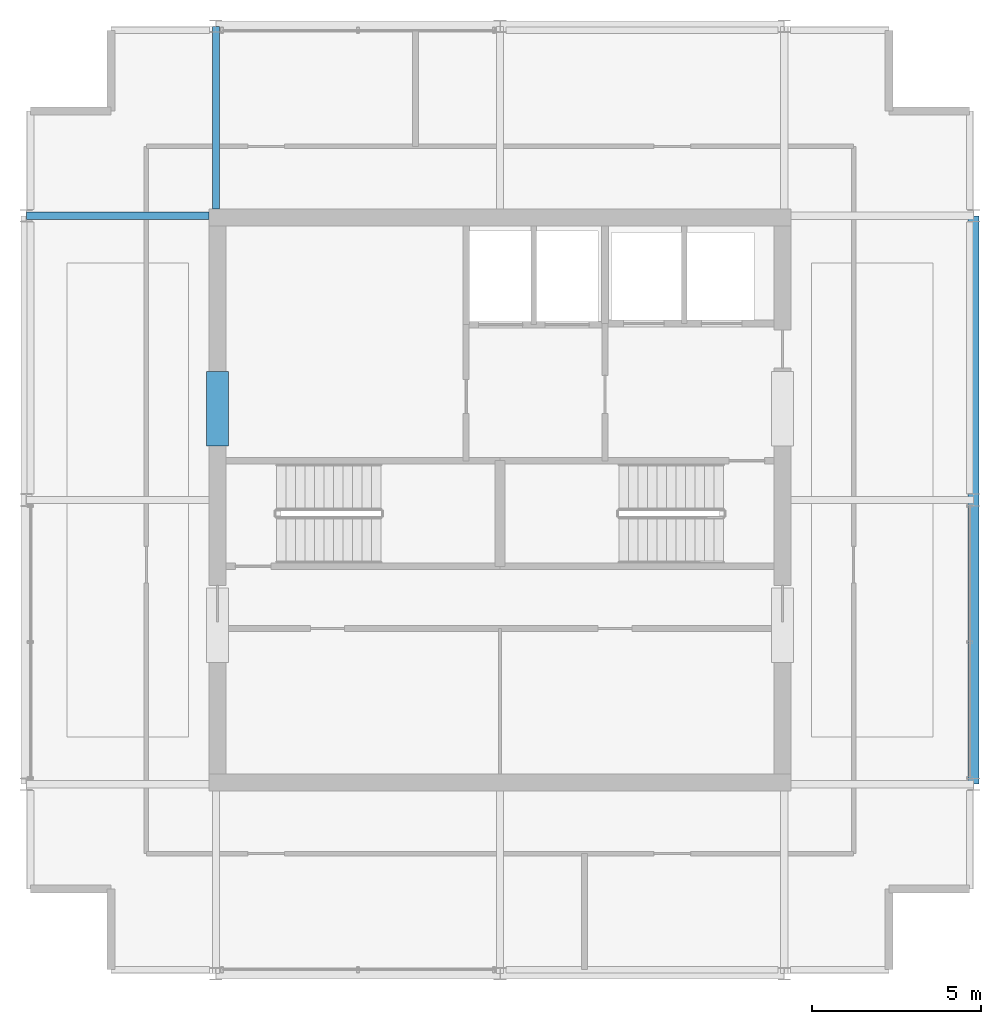
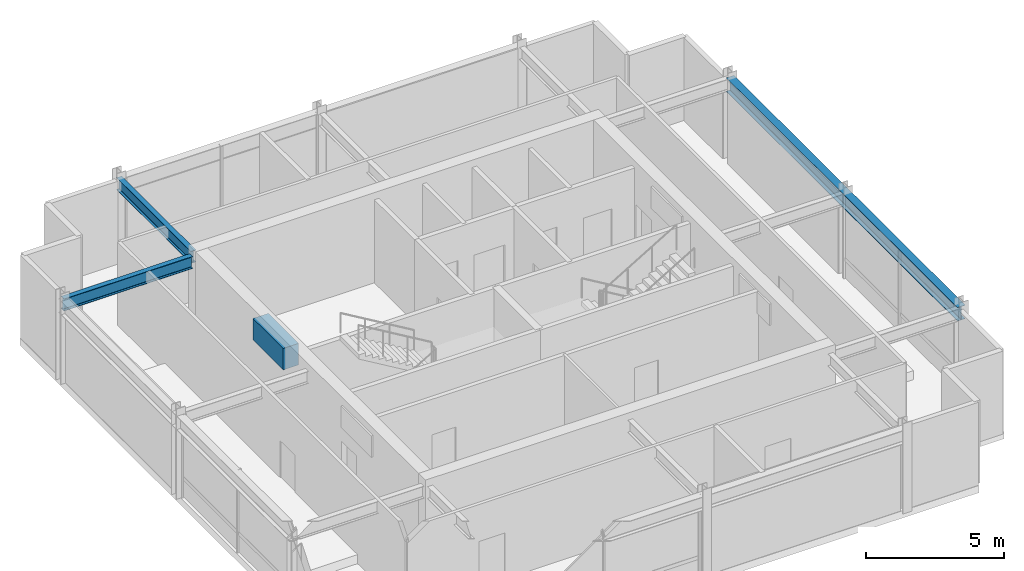
# One storey, part 7 of 12: 4 beams.
"""IFC4 building model written with IfcOpenShell, lengths in metres."""

from ifc_helpers import new_model, si_unit, direction, frame, origin, origin_2d, place, context, subcontext, project, spatial, rectangle, i_section, extrude, material, material_profile, profile_set, type_object, element, save


model = new_model("IFC4")

# Units and contexts
model_context = context("Model", 3, precision=1e-05, world=origin(), true_north=direction((0.0, 1.0)))
body_context = subcontext(model_context, "Body", "Model", "MODEL_VIEW")
ifc_project = project(units=[si_unit("LENGTHUNIT", "METRE"), si_unit("AREAUNIT", "SQUARE_METRE"), si_unit("VOLUMEUNIT", "CUBIC_METRE"), si_unit("PLANEANGLEUNIT", "RADIAN"), si_unit("MASSUNIT", "GRAM", prefix="KILO")], contexts=[model_context])

# Site, building, storey
site_placement = place(None, origin())
site = spatial("IfcSite", under=ifc_project, at=site_placement, CompositionType="ELEMENT")
building_placement = place(site_placement, origin())
building = spatial("IfcBuilding", under=site, at=building_placement, Name="Drelvath Grand Hotel", CompositionType="ELEMENT")
storey_placement = place(building_placement, frame((0.0, 0.0, 315.39990234375)))
storey = spatial("IfcBuildingStorey", under=building, at=storey_placement, Name="L82", CompositionType="ELEMENT", Elevation=315.39990234375)

# Beams
ifc_material_1 = material(Name="Concrete f'c 55 MPa", Category="concrete")
ifc_material_profile_1 = material_profile(ifc_material_1, rectangle(XDim=0.64990234375, YDim=0.949951171875, at=origin_2d()), Name="CB650X950")
ifc_profile_set_1 = profile_set([ifc_material_profile_1], Name="Concrete f'c 55 MPa")
beam_type_1 = type_object("IfcBeamType", Name="Core Coupling Lintel CB650X950", PredefinedType="LINTEL", material=ifc_profile_set_1)
beam_1_placement = place(storey_placement, frame((-8.35009765625, 28.60009765625, 3.205078125), z_axis=(0.0, 1.0, 0.0), x_axis=(-1.0, 0.0, 0.0)))
element("IfcBeam", 1, at=beam_1_placement, inside=storey, type_object=beam_type_1, Name="L82 Core Coupling Lintel WN", PredefinedType="LINTEL", context=body_context, shape_type="SweptSolid", body=[
    extrude(rectangle(XDim=0.64990234375, YDim=0.949951171875, at=origin_2d()), origin(), (0.0, 0.0, 1.0), 2.199951171875),
])
ifc_material_2 = material(Name="Steel ASTM A992 Gr 50", Category="steel")
ifc_material_profile_2 = material_profile(ifc_material_2, i_section(OverallWidth=0.210205078125, OverallDepth=0.53662109375, WebThickness=0.010986328125, FlangeThickness=0.017333984375, FilletRadius=0.01806640625, at=origin_2d()), Name="W21X68")
ifc_profile_set_2 = profile_set([ifc_material_profile_2], Name="Steel ASTM A992 Gr 50")
beam_type_2 = type_object("IfcBeamType", Name="Primary Floor Girder W21X68", PredefinedType="BEAM", material=ifc_profile_set_2)
for number, where, z_axis, x_axis, name in (
    (2, (-14.0, 35.39990234375, 3.41162109375), (1.0, 0.0, 0.0), (0.0, 1.0, 0.0), "L82 Crown Drum Tie West F"),
    (3, (-8.39990234375, 35.60009765625, 3.41162109375), (0.0, 1.0, 0.0), (-1.0, 0.0, 0.0), "L82 Crown Drum Tie North 4"),
):
    element("IfcBeam", number, at=place(storey_placement, frame(where, z_axis=z_axis, x_axis=x_axis)), inside=storey, type_object=beam_type_2, Name=name, PredefinedType="BEAM", context=body_context, shape_type="SweptSolid", body=[
        extrude(i_section(OverallWidth=0.210205078125, OverallDepth=0.53662109375, WebThickness=0.010986328125, FlangeThickness=0.017333984375, FilletRadius=0.01806640625, at=origin_2d()), origin(), (0.0, 0.0, 1.0), 5.39990234375),
    ])
ifc_material_profile_3 = material_profile(ifc_material_2, i_section(OverallWidth=0.323974609375, OverallDepth=0.611083984375, WebThickness=0.0126953125, FlangeThickness=0.01904296875, FilletRadius=0.02197265625, at=origin_2d()), Name="W24X104")
ifc_profile_set_3 = profile_set([ifc_material_profile_3], Name="Steel ASTM A992 Gr 50")
beam_type_3 = type_object("IfcBeamType", Name="Primary Floor Girder W24X104", PredefinedType="BEAM", material=ifc_profile_set_3)
beam_2_placement = place(storey_placement, frame((14.0, 18.60009765625, 3.37451171875), z_axis=(0.0, 1.0, 0.0), x_axis=(-1.0, 0.0, 0.0)))
element("IfcBeam", 4, at=beam_2_placement, inside=storey, type_object=beam_type_3, Name="L82 Crown Drum Ring Beam East", PredefinedType="BEAM", context=body_context, shape_type="SweptSolid", body=[
    extrude(i_section(OverallWidth=0.323974609375, OverallDepth=0.611083984375, WebThickness=0.0126953125, FlangeThickness=0.01904296875, FilletRadius=0.02197265625, at=origin_2d()), origin(), (0.0, 0.0, 1.0), 16.7998046875),
])

save(model, "model.ifc")
